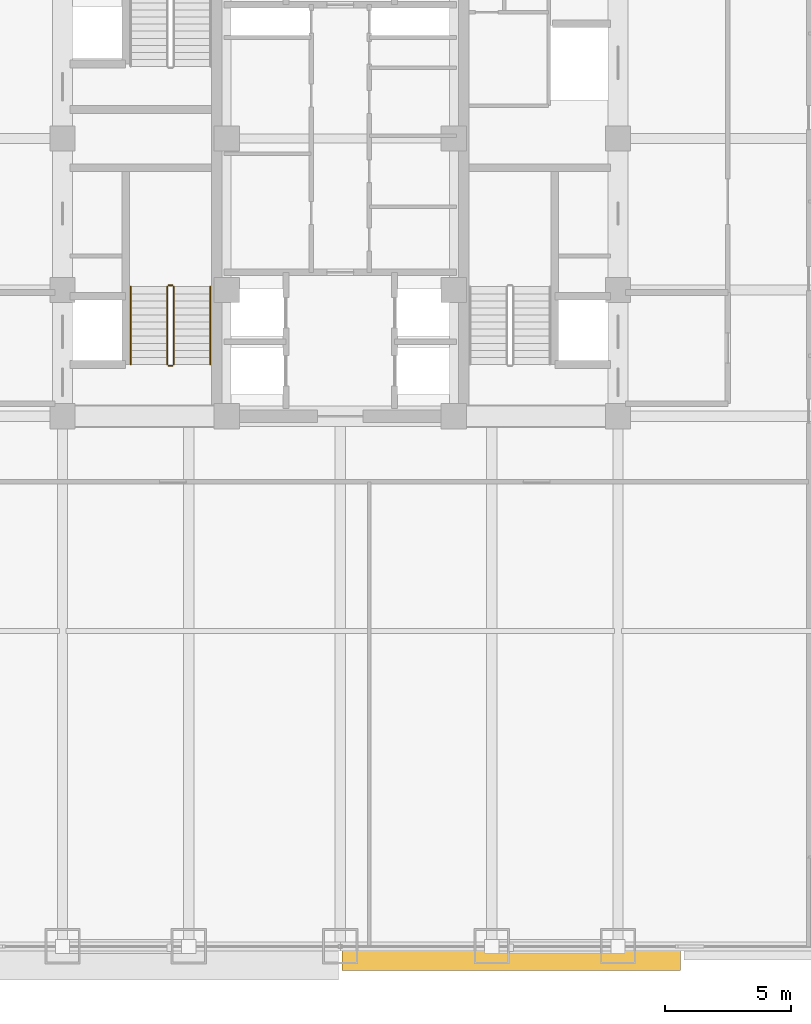
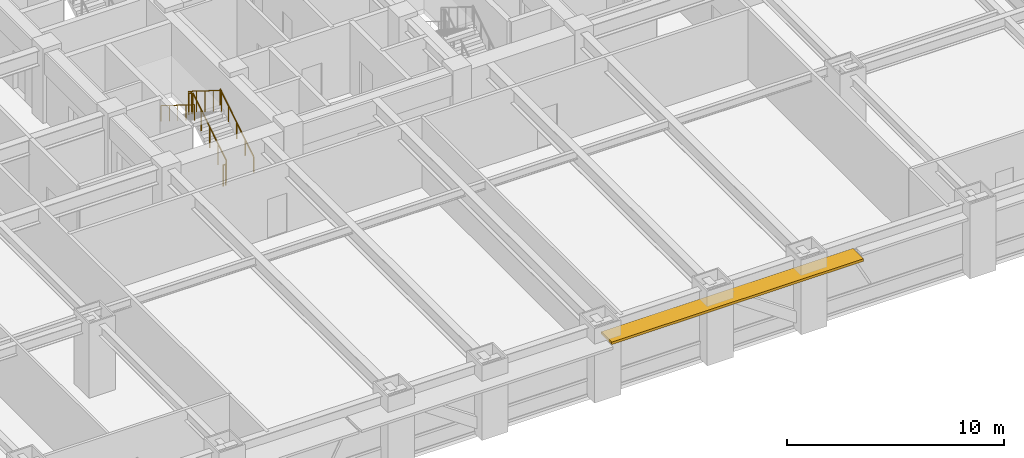
# One storey, part 29 of 32: 6 railings, 1 shading device.
"""IFC4 building model written with IfcOpenShell, lengths in metres."""

from ifc_helpers import new_model, si_unit, direction, frame, origin, origin_2d, place, context, subcontext, project, spatial, rectangle, circle, extrude, source, transform, mapped, material, layer, layer_set, type_object, element, save


model = new_model("IFC4")

# Units and contexts
model_context = context("Model", 3, precision=1e-05, world=origin(), true_north=direction((0.0, 1.0)))
body_context = subcontext(model_context, "Body", "Model", "MODEL_VIEW")
ifc_project = project(units=[si_unit("LENGTHUNIT", "METRE"), si_unit("AREAUNIT", "SQUARE_METRE"), si_unit("VOLUMEUNIT", "CUBIC_METRE"), si_unit("PLANEANGLEUNIT", "RADIAN"), si_unit("MASSUNIT", "GRAM", prefix="KILO")], contexts=[model_context])

# Site, building, storey
site_placement = place(None, origin())
site = spatial("IfcSite", under=ifc_project, at=site_placement, CompositionType="ELEMENT")
building_placement = place(site_placement, origin())
building = spatial("IfcBuilding", under=site, at=building_placement, Name="Khorayat Bourse Tower", CompositionType="ELEMENT")
storey_placement = place(building_placement, frame((0.0, 0.0, 70.39990234375)))
storey = spatial("IfcBuildingStorey", under=building, at=storey_placement, Name="L15", CompositionType="ELEMENT", Elevation=70.39990234375)

# Shading device
ifc_material_1 = material(Name="Precast concrete C45/55", Category="concrete")
ifc_layer = layer(ifc_material_1, 0.139892578125)
ifc_layer_set = layer_set([ifc_layer], Name="Precast concrete C45/55")
shading_device_type = type_object("IfcShadingDeviceType", Name="SHD-WAVE-TRAY-B", PredefinedType="USERDEFINED", material=ifc_layer_set)
shared_shape_1 = source(origin(), body_context, "Body", "SweptSolid", [
    extrude(rectangle(XDim=13.409912109375, YDim=0.976318359375, at=origin_2d()), origin(), (0.0, 0.0, 1.0), 0.139892578125),
])
shading_device_placement = place(storey_placement, frame((6.77490234375, -32.468017578125, 3.18994140625), z_axis=(0.0, 0.0, 1.0), x_axis=(1.0, 0.0, 0.0)))
element("IfcShadingDevice", 1, at=shading_device_placement, inside=storey, type_object=shading_device_type, Name="L15 Sinusoidal Wave Sunshade Tray S-3", ObjectType="SUNSHADE", PredefinedType="USERDEFINED", context=body_context, shape_type="MappedRepresentation", body=[
    mapped(shared_shape_1, transform((0.0, 0.0, 0.0), scale=1.0)),
])

# Railings
ifc_material_2 = material(Name="Powder-coated steel balustrade", Category="steel")
railing_type_1 = type_object("IfcRailingType", Name="RLG-GUARD-1200", PredefinedType="GUARDRAIL", material=ifc_material_2)
shared_shape_2 = source(origin(), body_context, "Body", "SweptSolid", [
    extrude(circle(Radius=0.02392578125, at=origin_2d()), frame((0.0, 0.0, 1.17578125), z_axis=(-1.0, 0.0, 0.0), x_axis=(0.0, -1.0, 0.0)), (0.0, 0.0, 1.0), 0.150146484375),
    extrude(circle(Radius=0.02099609375, at=origin_2d()), origin(), (0.0, 0.0, 1.0), 1.15185546875),
    extrude(circle(Radius=0.02099609375, at=origin_2d()), frame((-0.150146484375, 0.0, 0.0)), (0.0, 0.0, 1.0), 1.15185546875),
])
for number, where, name in (
    (2, (-6.64990234375, -5.820068359375, 2.10009765625), "L15 ST-1 stair guard 2"),
    (3, (-6.64990234375, -9.0, 0.0), "L15 ST-1 stair guard 4"),
):
    element("IfcRailing", number, at=place(storey_placement, frame(where)), inside=storey, type_object=railing_type_1, Name=name, PredefinedType="GUARDRAIL", context=body_context, shape_type="MappedRepresentation", body=[
        mapped(shared_shape_2, transform((0.0, 0.0, 0.0), scale=1.0)),
    ])
shared_shape_3 = source(origin(), body_context, "Body", "SweptSolid", [
    extrude(circle(Radius=0.02392578125, at=origin_2d()), frame((0.0, 0.0, 1.17578125), z_axis=(0.0, 0.847979421464, 0.530029150871), x_axis=(-1.0, 0.0, 0.0)), (0.0, 0.0, 1.0), 3.632080078125),
    extrude(circle(Radius=0.02099609375, at=origin_2d()), origin(), (0.0, 0.0, 1.0), 1.15185546875),
    extrude(circle(Radius=0.02099609375, at=origin_2d()), frame((0.0, 0.77001953125, 0.481201171875)), (0.0, 0.0, 1.0), 1.15185546875),
    extrude(circle(Radius=0.02099609375, at=origin_2d()), frame((0.0, 1.5400390625, 0.96240234375)), (0.0, 0.0, 1.0), 1.15185546875),
    extrude(circle(Radius=0.02099609375, at=origin_2d()), frame((0.0, 2.309814453125, 1.44384765625)), (0.0, 0.0, 1.0), 1.15185546875),
    extrude(circle(Radius=0.02099609375, at=origin_2d()), frame((0.0, 3.079833984375, 1.925048828125)), (0.0, 0.0, 1.0), 1.15185546875),
])
railing_1_placement = place(storey_placement, frame((-6.60009765625, -8.949951171875, 0.175048828125)))
element("IfcRailing", 4, at=railing_1_placement, inside=storey, type_object=railing_type_1, Name="L15 ST-1 stair guard 1", PredefinedType="GUARDRAIL", context=body_context, shape_type="MappedRepresentation", body=[
    mapped(shared_shape_3, transform((0.0, 0.0, 0.0), scale=1.0)),
])
shared_shape_4 = source(origin(), body_context, "Body", "SweptSolid", [
    extrude(circle(Radius=0.02392578125, at=origin_2d()), frame((0.0, 0.0, 1.17578125), z_axis=(0.0, -0.847979421464, 0.530029150871), x_axis=(1.0, 0.0, 0.0)), (0.0, 0.0, 1.0), 3.632080078125),
    extrude(circle(Radius=0.02099609375, at=origin_2d()), origin(), (0.0, 0.0, 1.0), 1.15185546875),
    extrude(circle(Radius=0.02099609375, at=origin_2d()), frame((0.0, -0.77001953125, 0.481201171875)), (0.0, 0.0, 1.0), 1.15185546875),
    extrude(circle(Radius=0.02099609375, at=origin_2d()), frame((0.0, -1.5400390625, 0.96240234375)), (0.0, 0.0, 1.0), 1.15185546875),
    extrude(circle(Radius=0.02099609375, at=origin_2d()), frame((0.0, -2.309814453125, 1.44384765625)), (0.0, 0.0, 1.0), 1.15185546875),
    extrude(circle(Radius=0.02099609375, at=origin_2d()), frame((0.0, -3.079833984375, 1.925048828125)), (0.0, 0.0, 1.0), 1.15185546875),
])
railing_2_placement = place(storey_placement, frame((-6.85009765625, -5.8701171875, 2.275146484375)))
element("IfcRailing", 5, at=railing_2_placement, inside=storey, type_object=railing_type_1, Name="L15 ST-1 stair guard 3", PredefinedType="GUARDRAIL", context=body_context, shape_type="MappedRepresentation", body=[
    mapped(shared_shape_4, transform((0.0, 0.0, 0.0), scale=1.0)),
])
ifc_material_3 = material(Name="Brushed bronze stainless-steel handrail", Category="steel")
railing_type_2 = type_object("IfcRailingType", Name="RLG-HAND-900", PredefinedType="HANDRAIL", material=ifc_material_3)
shared_shape_5 = source(origin(), body_context, "Body", "SweptSolid", [
    extrude(circle(Radius=0.02392578125, at=origin_2d()), frame((0.0, 0.0, 0.8759765625), z_axis=(0.0, 0.847979421464, 0.530029150871), x_axis=(-1.0, 0.0, 0.0)), (0.0, 0.0, 1.0), 3.632080078125),
    extrude(circle(Radius=0.02099609375, at=origin_2d()), origin(), (0.0, 0.0, 1.0), 0.851806640625),
    extrude(circle(Radius=0.02099609375, at=origin_2d()), frame((0.0, 0.77001953125, 0.481201171875)), (0.0, 0.0, 1.0), 0.851806640625),
    extrude(circle(Radius=0.02099609375, at=origin_2d()), frame((0.0, 1.5400390625, 0.96240234375)), (0.0, 0.0, 1.0), 0.851806640625),
    extrude(circle(Radius=0.02099609375, at=origin_2d()), frame((0.0, 2.309814453125, 1.44384765625)), (0.0, 0.0, 1.0), 0.851806640625),
    extrude(circle(Radius=0.02099609375, at=origin_2d()), frame((0.0, 3.079833984375, 1.925048828125)), (0.0, 0.0, 1.0), 0.851806640625),
])
railing_3_placement = place(storey_placement, frame((-5.14990234375, -8.949951171875, 0.175048828125)))
element("IfcRailing", 6, at=railing_3_placement, inside=storey, type_object=railing_type_2, Name="L15 ST-1 stair handrail 1", PredefinedType="HANDRAIL", context=body_context, shape_type="MappedRepresentation", body=[
    mapped(shared_shape_5, transform((0.0, 0.0, 0.0), scale=1.0)),
])
shared_shape_6 = source(origin(), body_context, "Body", "SweptSolid", [
    extrude(circle(Radius=0.02392578125, at=origin_2d()), frame((0.0, 0.0, 0.8759765625), z_axis=(0.0, -0.847979421464, 0.530029150871), x_axis=(1.0, 0.0, 0.0)), (0.0, 0.0, 1.0), 3.632080078125),
    extrude(circle(Radius=0.02099609375, at=origin_2d()), origin(), (0.0, 0.0, 1.0), 0.851806640625),
    extrude(circle(Radius=0.02099609375, at=origin_2d()), frame((0.0, -0.77001953125, 0.481201171875)), (0.0, 0.0, 1.0), 0.851806640625),
    extrude(circle(Radius=0.02099609375, at=origin_2d()), frame((0.0, -1.5400390625, 0.96240234375)), (0.0, 0.0, 1.0), 0.851806640625),
    extrude(circle(Radius=0.02099609375, at=origin_2d()), frame((0.0, -2.309814453125, 1.44384765625)), (0.0, 0.0, 1.0), 0.851806640625),
    extrude(circle(Radius=0.02099609375, at=origin_2d()), frame((0.0, -3.079833984375, 1.925048828125)), (0.0, 0.0, 1.0), 0.851806640625),
])
railing_4_placement = place(storey_placement, frame((-8.300048828125, -5.8701171875, 2.275146484375)))
element("IfcRailing", 7, at=railing_4_placement, inside=storey, type_object=railing_type_2, Name="L15 ST-1 stair handrail 2", PredefinedType="HANDRAIL", context=body_context, shape_type="MappedRepresentation", body=[
    mapped(shared_shape_6, transform((0.0, 0.0, 0.0), scale=1.0)),
])

save(model, "model.ifc")
